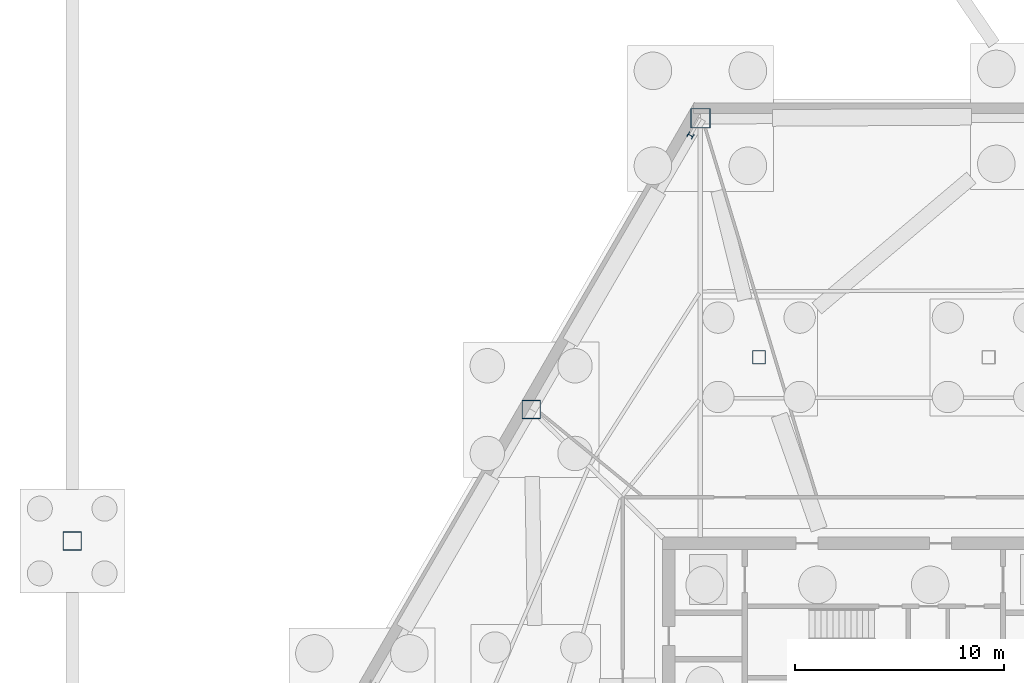
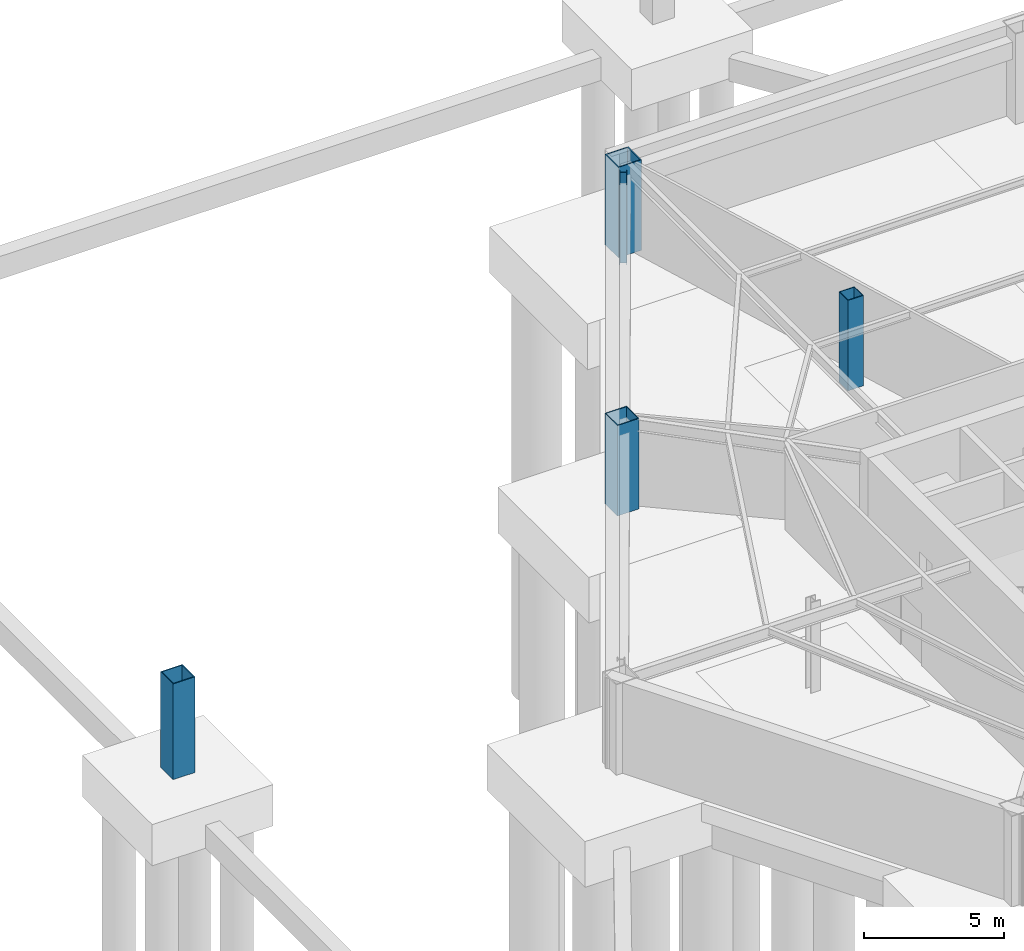
# One storey, part 5 of 11: 5 columns.
"""IFC4 building model written with IfcOpenShell, lengths in metres."""

from ifc_helpers import new_model, si_unit, direction, frame, origin, origin_2d, place, context, subcontext, project, spatial, hollow_rectangle, i_section, extrude, material, material_profile, profile_set, type_object, element, save


model = new_model("IFC4")

# Units and contexts
model_context = context("Model", 3, precision=1e-05, world=origin(), true_north=direction((0.0, 1.0)))
body_context = subcontext(model_context, "Body", "Model", "MODEL_VIEW")
ifc_project = project(units=[si_unit("LENGTHUNIT", "METRE"), si_unit("AREAUNIT", "SQUARE_METRE"), si_unit("VOLUMEUNIT", "CUBIC_METRE"), si_unit("PLANEANGLEUNIT", "RADIAN"), si_unit("MASSUNIT", "GRAM", prefix="KILO")], contexts=[model_context])

# Site, building, storey
site_placement = place(None, origin())
site = spatial("IfcSite", under=ifc_project, at=site_placement, CompositionType="ELEMENT")
building_placement = place(site_placement, origin())
building = spatial("IfcBuilding", under=site, at=building_placement, Name="Kavelnor Concourse Tower", CompositionType="ELEMENT")
storey_placement = place(building_placement, frame((0.0, 0.0, -8.39990234375)))
storey = spatial("IfcBuildingStorey", under=building, at=storey_placement, Name="B02", CompositionType="ELEMENT", Elevation=-8.39990234375)

# Columns
ifc_material = material(Name="Steel Grade 350", Category="steel")
ifc_material_profile_1 = material_profile(ifc_material, hollow_rectangle(XDim=0.89990234375, YDim=0.89990234375, WallThickness=0.0380859375, at=origin_2d()), Name="SHS 900x900x38")
ifc_profile_set_1 = profile_set([ifc_material_profile_1], Name="Steel Grade 350")
column_type_1 = type_object("IfcColumnType", Name="COL-MEGA-900", PredefinedType="COLUMN", material=ifc_profile_set_1)
column_1_placement = place(storey_placement, frame((21.587158203125, 29.294189453125, 0.0), z_axis=(0.0, 0.0, 1.0), x_axis=(1.0, 0.0, 0.0)))
element("IfcColumn", 1, at=column_1_placement, inside=storey, type_object=column_type_1, Name="B02 Perimeter Mega Column MC-F0", PredefinedType="COLUMN", context=body_context, shape_type="SweptSolid", body=[
    extrude(hollow_rectangle(XDim=0.89990234375, YDim=0.89990234375, WallThickness=0.0380859375, at=origin_2d()), origin(), (0.0, 0.0, 1.0), 3.949951171875),
])
column_2_placement = place(storey_placement, frame((-0.39990234375, 23.0, 0.0), z_axis=(0.0, 0.0, 1.0), x_axis=(1.0, 0.0, 0.0)))
element("IfcColumn", 2, at=column_2_placement, inside=storey, type_object=column_type_1, Name="B02 Plaza Support Column PLZ-W", PredefinedType="COLUMN", context=body_context, shape_type="SweptSolid", body=[
    extrude(hollow_rectangle(XDim=0.89990234375, YDim=0.89990234375, WallThickness=0.0380859375, at=origin_2d()), origin(), (0.0, 0.0, 1.0), 4.179931640625),
])
ifc_material_profile_2 = material_profile(ifc_material, hollow_rectangle(XDim=0.949951171875, YDim=0.949951171875, WallThickness=0.0400390625, at=origin_2d()), Name="SHS 950x950x40")
ifc_profile_set_2 = profile_set([ifc_material_profile_2], Name="Steel Grade 350")
column_type_2 = type_object("IfcColumnType", Name="COL-MEGA-950", PredefinedType="COLUMN", material=ifc_profile_set_2)
column_3_placement = place(storey_placement, frame((29.694580078125, 43.248779296875, 0.0), z_axis=(0.0, 0.0, 1.0), x_axis=(1.0, 0.0, 0.0)))
element("IfcColumn", 3, at=column_3_placement, inside=storey, type_object=column_type_2, Name="B02 Perimeter Mega Column MC-V1", PredefinedType="COLUMN", context=body_context, shape_type="SweptSolid", body=[
    extrude(hollow_rectangle(XDim=0.949951171875, YDim=0.949951171875, WallThickness=0.0400390625, at=origin_2d()), origin(), (0.0, 0.0, 1.0), 3.949951171875),
])
ifc_material_profile_3 = material_profile(ifc_material, i_section(OverallWidth=0.260986328125, OverallDepth=0.27587890625, WebThickness=0.015380859375, FlangeThickness=0.025390625, at=origin_2d()), Name="UC 254x254x132")
ifc_profile_set_3 = profile_set([ifc_material_profile_3], Name="Steel Grade 350")
column_type_3 = type_object("IfcColumnType", Name="COL-PILASTER-250", PredefinedType="PILASTER", material=ifc_profile_set_3)
column_4_placement = place(storey_placement, frame((29.21728515625, 42.427490234375, 0.0), z_axis=(0.0, 0.0, 1.0), x_axis=(-0.502416446459, -0.864625765478, 0.0)))
element("IfcColumn", 4, at=column_4_placement, inside=storey, type_object=column_type_3, Name="B02 Brick Pier Stiffener Pilaster F0-A", PredefinedType="PILASTER", context=body_context, shape_type="SweptSolid", body=[
    extrude(i_section(OverallWidth=0.260986328125, OverallDepth=0.27587890625, WebThickness=0.015380859375, FlangeThickness=0.025390625, at=origin_2d()), origin(), (0.0, 0.0, 1.0), 3.949951171875),
])
ifc_material_profile_4 = material_profile(ifc_material, hollow_rectangle(XDim=0.639892578125, YDim=0.639892578125, WallThickness=0.028076171875, at=origin_2d()), Name="SHS 640x640x28")
ifc_profile_set_4 = profile_set([ifc_material_profile_4], Name="Steel Grade 350")
column_type_4 = type_object("IfcColumnType", Name="COL-TUBE-Z3", PredefinedType="COLUMN", material=ifc_profile_set_4)
column_5_placement = place(storey_placement, frame((32.5, 31.800048828125, 0.0), z_axis=(0.0, 0.0, 1.0), x_axis=(1.0, 0.0, 0.0)))
element("IfcColumn", 5, at=column_5_placement, inside=storey, type_object=column_type_4, Name="B02 Interior Column BC-NW", PredefinedType="COLUMN", context=body_context, shape_type="SweptSolid", body=[
    extrude(hollow_rectangle(XDim=0.639892578125, YDim=0.639892578125, WallThickness=0.028076171875, at=origin_2d()), origin(), (0.0, 0.0, 1.0), 3.949951171875),
])

save(model, "model.ifc")
